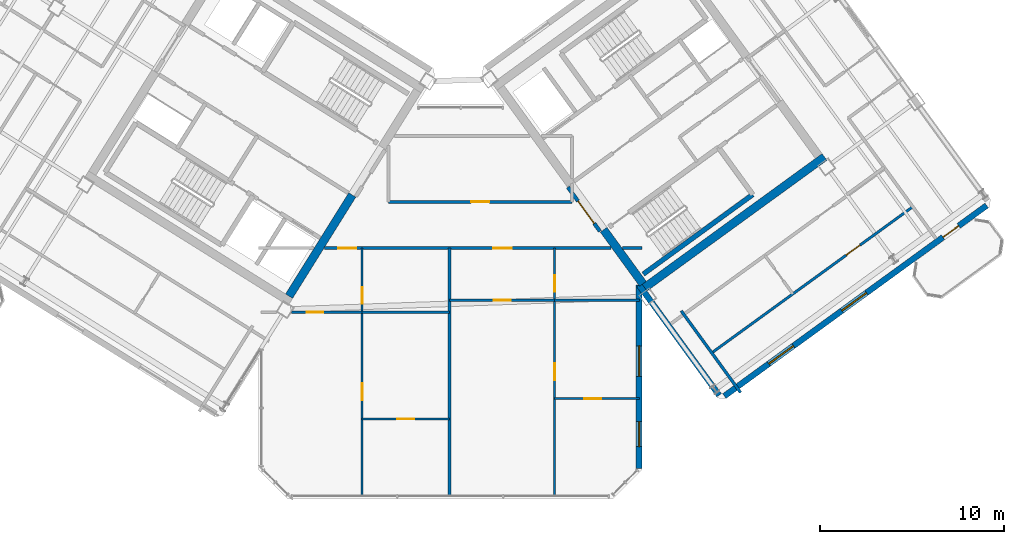
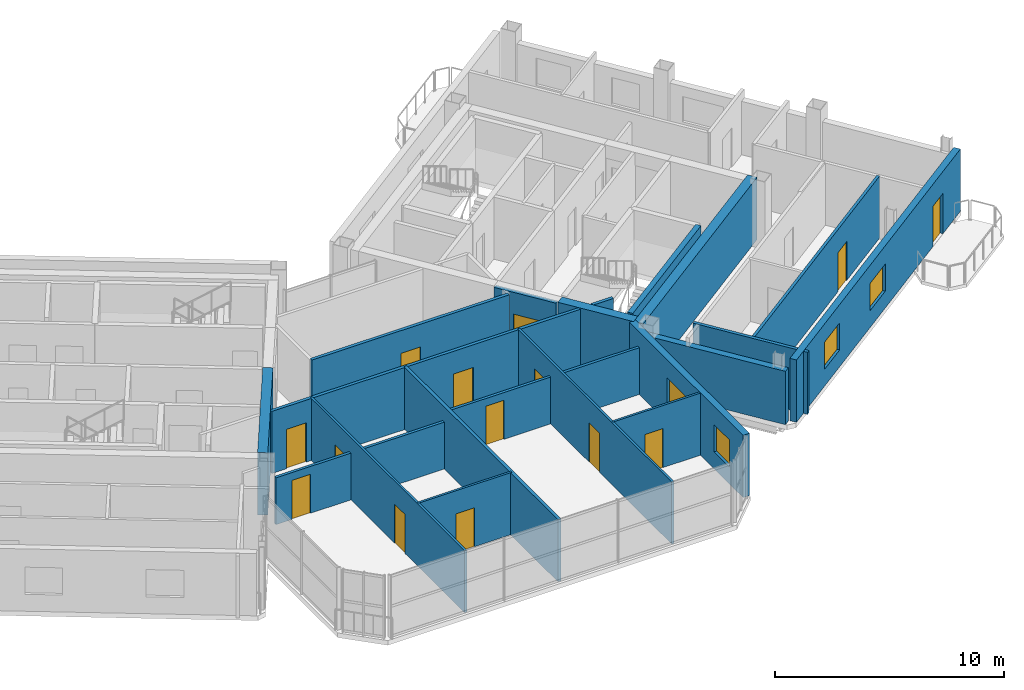
# One storey, part 18 of 25: 22 walls, 14 doors, 4 windows, 18 openings.
"""IFC4 building model written with IfcOpenShell, lengths in metres."""

import ifcopenshell
import ifcopenshell.guid

model = None  # the IFC model being written
_history = None  # IfcOwnerHistory: only IFC2X3 demands one
_inside = {}  # id of a spatial element -> (the spatial element, [elements in it])
_under = {}  # id of a project, library or spatial element -> (it, [spatial elements below it])
_declared = {}  # id of a project -> (the project, [libraries it declares])
_typed = {}  # id of a type object -> (the type object, [elements of that type])
_made_of = {}  # id of a material, layer set ... -> (it, [elements and type objects made of it])


def new_model(schema):
    """Start an empty IFC model of exactly this schema.

    Asked for "IFC4X3", IfcOpenShell would pick the latest addendum, in which some entities
    have other attributes; the version numbers below select the first issue.
    IFC2X3 requires an IfcOwnerHistory on every rooted entity: one is made here for all.
    """
    global model, _history
    if schema == "IFC4X3":
        model = ifcopenshell.file(schema_version=(4, 3, 0, 0))
    else:
        model = ifcopenshell.file(schema=schema)
    _inside.clear()
    _under.clear()
    _declared.clear()
    _typed.clear()
    _made_of.clear()
    _history = None
    if model.schema == "IFC2X3":
        org = make("IfcOrganization", Name="unknown")
        user = make(
            "IfcPersonAndOrganization",
            ThePerson=make("IfcPerson", FamilyName="unknown"),
            TheOrganization=org,
        )
        app = make(
            "IfcApplication",
            ApplicationDeveloper=org,
            Version="unknown",
            ApplicationFullName="unknown",
            ApplicationIdentifier="unknown",
        )
        _history = make(
            "IfcOwnerHistory",
            OwningUser=user,
            OwningApplication=app,
            ChangeAction="ADDED",
            CreationDate=0,
        )
    return model


def make(cls, **values):
    """One entity of the class cls with the attributes given. An attribute that is None is left unset."""
    return model.create_entity(
        cls, **{name: value for name, value in values.items() if value is not None}
    )


def rooted(cls, **values):
    """An entity with a GlobalId (a new one), such as an element, a storey or a relation."""
    return make(cls, GlobalId=ifcopenshell.guid.new(), OwnerHistory=_history, **values)


def si_unit(unit_type, name, prefix=None):
    """IfcSIUnit, for example si_unit("LENGTHUNIT", "METRE", prefix="MILLI")."""
    return make("IfcSIUnit", UnitType=unit_type, Prefix=prefix, Name=name)


def assignment(units):
    """IfcUnitAssignment: the units of a project."""
    return None if units is None else make("IfcUnitAssignment", Units=units)


def point(xyz):
    """IfcCartesianPoint."""
    return None if xyz is None else make("IfcCartesianPoint", Coordinates=xyz)


def direction(xyz):
    """IfcDirection."""
    return None if xyz is None else make("IfcDirection", DirectionRatios=xyz)


def frame(location, z_axis=None, x_axis=None):
    """IfcAxis2Placement3D, a coordinate frame: its origin and axes. An axis left out is left unset."""
    return make(
        "IfcAxis2Placement3D",
        Location=point(location),
        Axis=direction(z_axis),
        RefDirection=direction(x_axis),
    )


def frame_2d(location, x_axis=None):
    """IfcAxis2Placement2D, a coordinate frame in the plane: its origin and x axis."""
    return make(
        "IfcAxis2Placement2D", Location=point(location), RefDirection=direction(x_axis)
    )


def origin():
    """The frame at (0, 0, 0) with its axes left unset."""
    return frame((0.0, 0.0, 0.0))


def place(relative_to, where):
    """IfcLocalPlacement: puts the frame where relative to a parent placement (None: the world)."""
    return make(
        "IfcLocalPlacement", PlacementRelTo=relative_to, RelativePlacement=where
    )


def context(
    kind, dimensions, precision=None, world=None, true_north=None, identifier=None
):
    """IfcGeometricRepresentationContext, for example the 3D "Model" context."""
    return make(
        "IfcGeometricRepresentationContext",
        ContextIdentifier=identifier,
        ContextType=kind,
        CoordinateSpaceDimension=dimensions,
        Precision=precision,
        WorldCoordinateSystem=world,
        TrueNorth=true_north,
    )


def subcontext(parent, identifier, kind, view, scale=None):
    """IfcGeometricRepresentationSubContext, for example "Body" below "Model"."""
    return make(
        "IfcGeometricRepresentationSubContext",
        ContextIdentifier=identifier,
        ContextType=kind,
        ParentContext=parent,
        TargetScale=scale,
        TargetView=view,
    )


def project(units=None, contexts=None):
    """IfcProject with its units and contexts."""
    return rooted(
        "IfcProject",
        Name="project",
        RepresentationContexts=contexts,
        UnitsInContext=assignment(units),
    )


def spatial(cls, under=None, at=None, **own):
    """A site, building, storey or space (cls), placed at a placement, below another one or the project."""
    s = rooted(cls, ObjectPlacement=at, **own)
    if under is not None:
        _under.setdefault(under.id(), (under, []))[1].append(s)
    return s


def profile(cls, at=None, kind="AREA", **sizes):
    """A parametric profile (cls). Its sizes go by their IFC names, for example OverallWidth=200.0."""
    return make(cls, ProfileType=kind, Position=at, **sizes)


def rectangle(**sizes):
    """IfcRectangleProfileDef."""
    return profile("IfcRectangleProfileDef", **sizes)


def extrude(swept, where, along, depth):
    """IfcExtrudedAreaSolid: the profile swept, set in the frame where, extruded along a direction by depth."""
    return make(
        "IfcExtrudedAreaSolid",
        SweptArea=swept,
        Position=where,
        ExtrudedDirection=direction(along),
        Depth=depth,
    )


def shape(context_of_items, identifier, shape_type, items):
    """IfcShapeRepresentation: the items that make up one representation, for example the "Body"."""
    return make(
        "IfcShapeRepresentation",
        ContextOfItems=context_of_items,
        RepresentationIdentifier=identifier,
        RepresentationType=shape_type,
        Items=items,
    )


def source(mapping_origin, context_of_items, identifier, shape_type, items):
    """IfcRepresentationMap: a shape defined once, which mapped items show again and again."""
    return make(
        "IfcRepresentationMap",
        MappingOrigin=mapping_origin,
        MappedRepresentation=shape(context_of_items, identifier, shape_type, items),
    )


def transform(
    local_origin,
    x_axis=None,
    y_axis=None,
    z_axis=None,
    scale=None,
    scale2=None,
    scale3=None,
    uniform=True,
):
    """IfcCartesianTransformationOperator3D, or its non-uniform kind. x_axis, y_axis, z_axis: its Axis1, 2, 3."""
    if uniform:
        return make(
            "IfcCartesianTransformationOperator3D",
            Axis1=direction(x_axis),
            Axis2=direction(y_axis),
            LocalOrigin=point(local_origin),
            Scale=scale,
            Axis3=direction(z_axis),
        )
    return make(
        "IfcCartesianTransformationOperator3DnonUniform",
        Axis1=direction(x_axis),
        Axis2=direction(y_axis),
        LocalOrigin=point(local_origin),
        Scale=scale,
        Axis3=direction(z_axis),
        Scale2=scale2,
        Scale3=scale3,
    )


def mapped(mapping_source, mapping_target):
    """IfcMappedItem: shows the shape of a source again, moved by a transform."""
    return make(
        "IfcMappedItem", MappingSource=mapping_source, MappingTarget=mapping_target
    )


def material(Name=None, Category=None):
    """IfcMaterial."""
    return make("IfcMaterial", Name=Name, Category=Category)


def layer(
    of_material, thickness, ventilated=None, Name=None, Category=None, Priority=None
):
    """IfcMaterialLayer: one layer of a wall or slab, of a material (None: an air gap)."""
    return make(
        "IfcMaterialLayer",
        Material=of_material,
        LayerThickness=thickness,
        IsVentilated=ventilated,
        Name=Name,
        Category=Category,
        Priority=Priority,
    )


def layer_set(layers, Name=None):
    """IfcMaterialLayerSet."""
    return make("IfcMaterialLayerSet", MaterialLayers=layers, LayerSetName=Name)


def made_of(thing, what):
    """Note that an element or type object is made of a material, layer set ...; save() writes the relation."""
    if what is not None:
        _made_of.setdefault(what.id(), (what, []))[1].append(thing)
    return thing


def type_object(cls, material=None, **own):
    """A type object (cls), such as IfcWallType, which elements share."""
    return made_of(rooted(cls, **own), material)


def element(
    cls,
    number,
    at=None,
    inside=None,
    cuts=None,
    type_object=None,
    material=None,
    context=None,
    identifier="Body",
    shape_type=None,
    held_by="IfcProductDefinitionShape",
    body=None,
    shapes=None,
    **own,
):
    """One element of the class cls, such as IfcWall. Its Tag is "e" and its number.

    at: its placement. inside: the storey or other place that contains it. cuts: it is an
    opening in that element (IfcRelVoidsElement). A single representation is given by context,
    identifier, shape_type and body (its items); several are given by shapes. held_by: the class
    of the entity that holds the representations. save() writes the other relations.
    """
    e = rooted(cls, Tag="e%d" % number, ObjectPlacement=at, **own)
    if body is not None:
        shapes = [shape(context, identifier, shape_type, body)]
    if shapes is not None:
        e.Representation = make(held_by, Representations=shapes)
    if inside is not None:
        _inside.setdefault(inside.id(), (inside, []))[1].append(e)
    if cuts is not None:
        rooted(
            "IfcRelVoidsElement", RelatingBuildingElement=cuts, RelatedOpeningElement=e
        )
    if type_object is not None:
        _typed.setdefault(type_object.id(), (type_object, []))[1].append(e)
    return made_of(e, material)


def fill(opening, filler):
    """IfcRelFillsElement: the door or window that sits in an opening."""
    return rooted(
        "IfcRelFillsElement",
        RelatingOpeningElement=opening,
        RelatedBuildingElement=filler,
    )


def aggregate(whole, parts):
    """IfcRelAggregates: a whole, such as a stair, and the parts it consists of."""
    return rooted("IfcRelAggregates", RelatingObject=whole, RelatedObjects=parts)


def save(model, path):
    """Write the relations noted so far, then the file.

    IfcRelAggregates (storeys below a building ...), IfcRelContainedInSpatialStructure (elements
    in a storey), IfcRelDefinesByType, IfcRelAssociatesMaterial and IfcRelDeclares: one each for
    every whole, place, type object, material and project.
    """
    for whole, parts in _under.values():
        aggregate(whole, parts)
    for where, things in _inside.values():
        rooted(
            "IfcRelContainedInSpatialStructure",
            RelatedElements=things,
            RelatingStructure=where,
        )
    for kind, things in _typed.values():
        rooted("IfcRelDefinesByType", RelatedObjects=things, RelatingType=kind)
    for what, things in _made_of.values():
        rooted("IfcRelAssociatesMaterial", RelatedObjects=things, RelatingMaterial=what)
    for by, libraries in _declared.values():
        rooted("IfcRelDeclares", RelatingContext=by, RelatedDefinitions=libraries)
    model.write(path)


model = new_model("IFC4")

# Units and contexts
model_context = context("Model", 3, precision=1e-05, world=origin(), true_north=direction((0.0, 1.0)))
body_context = subcontext(model_context, "Body", "Model", "MODEL_VIEW")
ifc_project = project(units=[si_unit("LENGTHUNIT", "METRE"), si_unit("AREAUNIT", "SQUARE_METRE"), si_unit("VOLUMEUNIT", "CUBIC_METRE"), si_unit("PLANEANGLEUNIT", "RADIAN"), si_unit("MASSUNIT", "GRAM", prefix="KILO")], contexts=[model_context])

# Site, building, storey
site_placement = place(None, origin())
site = spatial("IfcSite", under=ifc_project, at=site_placement, CompositionType="ELEMENT")
building_placement = place(site_placement, origin())
building = spatial("IfcBuilding", under=site, at=building_placement, Name="Tlacorven Tower", CompositionType="ELEMENT")
storey_placement = place(building_placement, frame((0.0, 0.0, 251.10009765625)))
storey = spatial("IfcBuildingStorey", under=building, at=storey_placement, Name="L63", CompositionType="ELEMENT", Elevation=251.10009765625)

# Walls
ifc_material_1 = material(Name="Concrete C50/60", Category="concrete")
ifc_layer_1 = layer(ifc_material_1, 0.449951171875)
ifc_layer_set_1 = layer_set([ifc_layer_1], Name="Concrete C50/60")
wall_type_1 = type_object("IfcWallType", Name="WL-COR-450", PredefinedType="SHEAR", material=ifc_layer_set_1)
wall_1_placement = place(storey_placement, frame((36.683349609375, 18.30419921875, 0.0), z_axis=(0.0, 0.0, 1.0), x_axis=(-0.529904039071, -0.848057609704, 0.0)))
element("IfcWall", 1, at=wall_1_placement, inside=storey, type_object=wall_type_1, Name="L63 W core end wall E1.2", PredefinedType="SHEAR", context=body_context, shape_type="SweptSolid", body=[
    extrude(rectangle(XDim=6.47509765625, YDim=0.449951171875, at=frame_2d((3.237548828125, 0.0))), origin(), (0.0, 0.0, 1.0), 3.31982421875),
])
wall_2_placement = place(storey_placement, frame((52.3994140625, 13.169189453125, 0.0), z_axis=(0.0, 0.0, 1.0), x_axis=(0.809022352778, 0.587777877013, 0.0)))
element("IfcWall", 2, at=wall_2_placement, inside=storey, type_object=wall_type_1, Name="L63 E core shear wall S1", PredefinedType="SHEAR", context=body_context, shape_type="SweptSolid", body=[
    extrude(rectangle(XDim=12.239990234375, YDim=0.449951171875, at=frame_2d((6.1201171875, 0.0))), origin(), (0.0, 0.0, 1.0), 3.31982421875),
])
wall_3_placement = place(storey_placement, frame((52.44921875, 13.4833984375, 0.0), z_axis=(0.0, 0.0, 1.0), x_axis=(-0.587819244441, 0.808992296542, 0.0)))
element("IfcWall", 3, at=wall_3_placement, inside=storey, type_object=wall_type_1, Name="L63 E core end wall E1.1", PredefinedType="SHEAR", context=body_context, shape_type="SweptSolid", body=[
    extrude(rectangle(XDim=3.625, YDim=0.449951171875, at=frame_2d((1.8125, 0.0))), origin(), (0.0, 0.0, 1.0), 3.31982421875),
])

# Wall, openings, doors
ifc_material_2 = material(Name="Gypsum plasterboard acoustic partition", Category="gypsum")
ifc_layer_2 = layer(ifc_material_2, 0.159912109375)
ifc_layer_set_2 = layer_set([ifc_layer_2], Name="Gypsum plasterboard acoustic partition")
wall_type_2 = type_object("IfcWallType", Name="WL-DEM-160", PredefinedType="PARTITIONING", material=ifc_layer_set_2)
wall_4_placement = place(storey_placement, frame((35.178466796875, 15.419921875, 0.0), z_axis=(0.0, 0.0, 1.0), x_axis=(1.0, 0.0, 0.0)))
wall_4 = element("IfcWall", 4, at=wall_4_placement, inside=storey, type_object=wall_type_2, Name="L63 Knuckle Corridor South Wall", PredefinedType="PARTITIONING", context=body_context, shape_type="SweptSolid", body=[
    extrude(rectangle(XDim=15.55224609375, YDim=0.159912109375, at=frame_2d((7.776123046875, 0.0))), origin(), (0.0, 0.0, 1.0), 3.309814453125),
])
opening_1_placement = place(wall_4_placement, frame((0.732666015625, 0.0, 0.0)))
opening_1 = element("IfcOpeningElement", 5, at=opening_1_placement, cuts=wall_4, Name="Opening D11", PredefinedType="OPENING", context=body_context, shape_type="SweptSolid", body=[
    extrude(rectangle(XDim=1.0, YDim=2.10009765625, at=frame_2d((0.5, 1.050048828125))), frame((0.0, 0.08984375, 0.0), z_axis=(0.0, -1.0, 0.0), x_axis=(1.0, 0.0, 0.0)), (0.0, 0.0, 1.0), 0.179931640625),
])
opening_2_placement = place(wall_4_placement, frame((9.153076171875, 0.0, 0.0)))
opening_2 = element("IfcOpeningElement", 6, at=opening_2_placement, cuts=wall_4, Name="Opening D11", PredefinedType="OPENING", context=body_context, shape_type="SweptSolid", body=[
    extrude(rectangle(XDim=1.0, YDim=2.10009765625, at=frame_2d((0.5, 1.050048828125))), frame((0.0, 0.08984375, 0.0), z_axis=(0.0, -1.0, 0.0), x_axis=(1.0, 0.0, 0.0)), (0.0, 0.0, 1.0), 0.179931640625),
])
ifc_material_3 = material(Name="Fire-rated steel door assembly", Category="steel")
door_type_1 = type_object("IfcDoorType", Name="DR-FLT-FD60-1000", OperationType="NOTDEFINED", PredefinedType="DOOR", material=ifc_material_3)
shared_shape_1 = source(origin(), body_context, "Body", "SweptSolid", [
    extrude(rectangle(XDim=1.0, YDim=2.10009765625, at=frame_2d((0.5, 1.050048828125))), frame((0.0, 0.02490234375, 0.0), z_axis=(0.0, -1.0, 0.0), x_axis=(1.0, 0.0, 0.0)), (0.0, 0.0, 1.0), 0.050048828125),
])
door_1_placement = place(opening_1_placement, frame((1.0, 0.0, 0.0), z_axis=(0.0, 0.0, 1.0), x_axis=(-1.0, 0.0, 0.0)))
door_1 = element("IfcDoor", 7, at=door_1_placement, inside=storey, type_object=door_type_1, Name="L63 door 045", OperationType="SINGLE_SWING_LEFT", OverallHeight=2.10009765625, OverallWidth=1.0, PredefinedType="DOOR", context=body_context, shape_type="MappedRepresentation", body=[
    mapped(shared_shape_1, transform((0.0, 0.0, 0.0), scale=1.0)),
])
fill(opening_1, door_1)
door_2_placement = place(opening_2_placement, frame((1.0, 0.0, 0.0), z_axis=(0.0, 0.0, 1.0), x_axis=(-1.0, 0.0, 0.0)))
door_2 = element("IfcDoor", 8, at=door_2_placement, inside=storey, type_object=door_type_1, Name="L63 door 050", OperationType="SINGLE_SWING_RIGHT", OverallHeight=2.10009765625, OverallWidth=1.0, PredefinedType="DOOR", context=body_context, shape_type="MappedRepresentation", body=[
    mapped(shared_shape_1, transform((0.0, 0.0, 0.0), scale=1.0)),
])
fill(opening_2, door_2)

# Wall
wall_5_placement = place(storey_placement, frame((51.353515625, 15.419921875, 0.0), z_axis=(0.0, 0.0, 1.0), x_axis=(1.0, 0.0, 0.0)))
element("IfcWall", 9, at=wall_5_placement, inside=storey, type_object=wall_type_2, Name="L63 Knuckle Corridor South Wall", PredefinedType="PARTITIONING", context=body_context, shape_type="SweptSolid", body=[
    extrude(rectangle(XDim=1.04638671875, YDim=0.159912109375, at=frame_2d((0.523193359375, 0.0))), origin(), (0.0, 0.0, 1.0), 3.309814453125),
])

# Wall, opening, door
wall_6_placement = place(storey_placement, frame((38.64990234375, 17.929931640625, 0.0), z_axis=(0.0, 0.0, 1.0), x_axis=(1.0, 0.0, 0.0)))
wall_6 = element("IfcWall", 10, at=wall_6_placement, inside=storey, type_object=wall_type_2, Name="L63 partition 63", PredefinedType="PARTITIONING", context=body_context, shape_type="SweptSolid", body=[
    extrude(rectangle(XDim=9.9501953125, YDim=0.159912109375, at=frame_2d((4.97509765625, 0.0))), origin(), (0.0, 0.0, 1.0), 3.309814453125),
])
opening_3_placement = place(wall_6_placement, frame((4.47509765625, 0.0, 0.0)))
opening_3 = element("IfcOpeningElement", 11, at=opening_3_placement, cuts=wall_6, Name="Opening D11", PredefinedType="OPENING", context=body_context, shape_type="SweptSolid", body=[
    extrude(rectangle(XDim=1.0, YDim=2.10009765625, at=frame_2d((0.5, 1.050048828125))), frame((0.0, 0.08984375, 0.0), z_axis=(0.0, -1.0, 0.0), x_axis=(1.0, 0.0, 0.0)), (0.0, 0.0, 1.0), 0.179931640625),
])
door_3_placement = place(opening_3_placement, origin())
door_3 = element("IfcDoor", 12, at=door_3_placement, inside=storey, type_object=door_type_1, Name="L63 door 040", OperationType="SINGLE_SWING_RIGHT", OverallHeight=2.10009765625, OverallWidth=1.0, PredefinedType="DOOR", context=body_context, shape_type="MappedRepresentation", body=[
    mapped(shared_shape_1, transform((0.0, 0.0, 0.0), scale=1.0)),
])
fill(opening_3, door_3)

# Walls
wall_7_placement = place(storey_placement, frame((41.949951171875, 1.9599609375, 0.0), z_axis=(0.0, 0.0, 1.0), x_axis=(0.0, 1.0, 0.0)))
element("IfcWall", 13, at=wall_7_placement, inside=storey, type_object=wall_type_2, Name="L63 Knuckle Demising Wall 1", PredefinedType="PARTITIONING", context=body_context, shape_type="SweptSolid", body=[
    extrude(rectangle(XDim=13.4599609375, YDim=0.159912109375, at=frame_2d((6.72998046875, 0.0))), origin(), (0.0, 0.0, 1.0), 3.309814453125),
])
wall_8_placement = place(storey_placement, frame((57.747314453125, 7.586181640625, 0.0), z_axis=(0.0, 0.0, 1.0), x_axis=(-0.587784893399, 0.809017255126, 0.0)))
element("IfcWall", 14, at=wall_8_placement, inside=storey, type_object=wall_type_2, Name="L63 EC West Throat Wall", PredefinedType="PARTITIONING", context=body_context, shape_type="SweptSolid", body=[
    extrude(rectangle(XDim=5.480224609375, YDim=0.159912109375, at=frame_2d((2.740234375, 0.0))), origin(), (0.0, 0.0, 1.0), 3.309814453125),
])

# Wall, openings, door, windows
ifc_material_4 = material(Name="Precast concrete C45/55", Category="concrete")
ifc_layer_3 = layer(ifc_material_4, 0.320068359375)
ifc_layer_set_3 = layer_set([ifc_layer_3], Name="Precast concrete C45/55")
wall_type_3 = type_object("IfcWallType", Name="WL-EXT-320", PredefinedType="STANDARD", material=ifc_layer_set_3)
wall_9_placement = place(storey_placement, frame((71.097900390625, 17.73095703125, 0.0), z_axis=(0.0, 0.0, 1.0), x_axis=(-0.809021120468, -0.587779573171, 0.0)))
wall_9 = element("IfcWall", 15, at=wall_9_placement, inside=storey, type_object=wall_type_3, Name="L63 Masonry-Frame Recessed Facade Wall 6", PredefinedType="STANDARD", context=body_context, shape_type="SweptSolid", body=[
    extrude(rectangle(XDim=17.587646484375, YDim=0.320068359375, at=frame_2d((8.7939453125, 0.0))), origin(), (0.0, 0.0, 1.0), 3.31982421875),
])
opening_4_placement = place(wall_9_placement, frame((1.87548828125, 0.0, 0.0)))
opening_4 = element("IfcOpeningElement", 16, at=opening_4_placement, cuts=wall_9, Name="Opening D06", PredefinedType="OPENING", context=body_context, shape_type="SweptSolid", body=[
    extrude(rectangle(XDim=1.050048828125, YDim=2.14990234375, at=frame_2d((0.52490234375, 1.074951171875))), frame((0.0, 0.169921875, 0.0), z_axis=(0.0, -1.0, 0.0), x_axis=(1.0, 0.0, 0.0)), (0.0, 0.0, 1.0), 0.340087890625),
])
opening_5_placement = place(wall_9_placement, frame((8.061279296875, 0.0, 0.89990234375)))
opening_5 = element("IfcOpeningElement", 17, at=opening_5_placement, cuts=wall_9, Name="Opening WN07", PredefinedType="OPENING", context=body_context, shape_type="SweptSolid", body=[
    extrude(rectangle(XDim=1.64990234375, YDim=1.449951171875, at=frame_2d((0.824951171875, 0.72509765625))), frame((0.0, 0.169921875, 0.0), z_axis=(0.0, -1.0, 0.0), x_axis=(1.0, 0.0, 0.0)), (0.0, 0.0, 1.0), 0.340087890625),
])
opening_6_placement = place(wall_9_placement, frame((12.959716796875, 0.0, 0.89990234375)))
opening_6 = element("IfcOpeningElement", 18, at=opening_6_placement, cuts=wall_9, Name="Opening WN07", PredefinedType="OPENING", context=body_context, shape_type="SweptSolid", body=[
    extrude(rectangle(XDim=1.64990234375, YDim=1.449951171875, at=frame_2d((0.824951171875, 0.72509765625))), frame((0.0, 0.169921875, 0.0), z_axis=(0.0, -1.0, 0.0), x_axis=(1.0, 0.0, 0.0)), (0.0, 0.0, 1.0), 0.340087890625),
])
ifc_material_5 = material(Name="Powder-coated aluminium and timber door", Category="wood")
door_type_2 = type_object("IfcDoorType", Name="DR-EXT-BALC-1050", OperationType="NOTDEFINED", PredefinedType="DOOR", material=ifc_material_5)
shared_shape_2 = source(origin(), body_context, "Body", "SweptSolid", [
    extrude(rectangle(XDim=1.050048828125, YDim=2.14990234375, at=frame_2d((0.52490234375, 1.074951171875))), frame((0.0, 0.02490234375, 0.0), z_axis=(0.0, -1.0, 0.0), x_axis=(1.0, 0.0, 0.0)), (0.0, 0.0, 1.0), 0.050048828125),
])
door_4_placement = place(opening_4_placement, origin())
door_4 = element("IfcDoor", 19, at=door_4_placement, inside=storey, type_object=door_type_2, Name="L63 Outdoor Access Door BAL-L63-E-OUT", OperationType="SINGLE_SWING_LEFT", OverallHeight=2.14990234375, OverallWidth=1.050048828125, PredefinedType="DOOR", context=body_context, shape_type="MappedRepresentation", body=[
    mapped(shared_shape_2, transform((0.0, 0.0, 0.0), scale=1.0)),
])
fill(opening_4, door_4)
ifc_material_6 = material(Name="Dark solar low-E double glazing in anodised aluminium frame", Category="aluminium")
window_type_1 = type_object("IfcWindowType", Name="WN-APT-1650X1600", PartitioningType="SINGLE_PANEL", PredefinedType="WINDOW", material=ifc_material_6)
shared_shape_3 = source(origin(), body_context, "Body", "SweptSolid", [
    extrude(rectangle(XDim=1.64990234375, YDim=1.449951171875, at=frame_2d((0.824951171875, 0.72509765625))), frame((0.0, 0.030029296875, 0.0), z_axis=(0.0, -1.0, 0.0), x_axis=(1.0, 0.0, 0.0)), (0.0, 0.0, 1.0), 0.06005859375),
])
window_1_placement = place(opening_5_placement, origin())
window_1 = element("IfcWindow", 20, at=window_1_placement, inside=storey, type_object=window_type_1, Name="L63 Recessed Masonry-Frame Window L63-06.1", OverallHeight=1.449951171875, OverallWidth=1.64990234375, PartitioningType="SINGLE_PANEL", PredefinedType="WINDOW", context=body_context, shape_type="MappedRepresentation", body=[
    mapped(shared_shape_3, transform((0.0, 0.0, 0.0), scale=1.0)),
])
fill(opening_5, window_1)
window_2_placement = place(opening_6_placement, origin())
window_2 = element("IfcWindow", 21, at=window_2_placement, inside=storey, type_object=window_type_1, Name="L63 Recessed Masonry-Frame Window L63-06.2", OverallHeight=1.449951171875, OverallWidth=1.64990234375, PartitioningType="SINGLE_PANEL", PredefinedType="WINDOW", context=body_context, shape_type="MappedRepresentation", body=[
    mapped(shared_shape_3, transform((0.0, 0.0, 0.0), scale=1.0)),
])
fill(opening_6, window_2)

# Wall
wall_10_placement = place(storey_placement, frame((56.5810546875, 7.43896484375, 0.0), z_axis=(0.0, 0.0, 1.0), x_axis=(-0.587776558368, 0.809023310809, 0.0)))
element("IfcWall", 22, at=wall_10_placement, inside=storey, type_object=wall_type_3, Name="L63 Masonry-Frame Recessed Facade Wall 7", PredefinedType="STANDARD", context=body_context, shape_type="SweptSolid", body=[
    extrude(rectangle(XDim=7.385498046875, YDim=0.320068359375, at=frame_2d((3.69287109375, 0.0))), origin(), (0.0, 0.0, 1.0), 2.844970703125),
])

# Wall, openings, windows
wall_11_placement = place(storey_placement, frame((52.239990234375, 13.4140625, 0.0), z_axis=(0.0, 0.0, 1.0), x_axis=(0.0, -1.0, 0.0)))
wall_11 = element("IfcWall", 23, at=wall_11_placement, inside=storey, type_object=wall_type_3, Name="L63 Masonry-Frame Recessed Facade Wall 8", PredefinedType="STANDARD", context=body_context, shape_type="SweptSolid", body=[
    extrude(rectangle(XDim=9.94775390625, YDim=0.320068359375, at=frame_2d((4.973876953125, 0.0))), origin(), (0.0, 0.0, 1.0), 3.31982421875),
])
opening_7_placement = place(wall_11_placement, frame((3.29541015625, 0.0, 0.89990234375)))
opening_7 = element("IfcOpeningElement", 24, at=opening_7_placement, cuts=wall_11, Name="Opening WN07", PredefinedType="OPENING", context=body_context, shape_type="SweptSolid", body=[
    extrude(rectangle(XDim=1.64990234375, YDim=1.449951171875, at=frame_2d((0.824951171875, 0.72509765625))), frame((0.0, 0.169921875, 0.0), z_axis=(0.0, -1.0, 0.0), x_axis=(1.0, 0.0, 0.0)), (0.0, 0.0, 1.0), 0.340087890625),
])
opening_8_placement = place(wall_11_placement, frame((7.408447265625, 0.0, 0.89990234375)))
opening_8 = element("IfcOpeningElement", 25, at=opening_8_placement, cuts=wall_11, Name="Opening WN08", PredefinedType="OPENING", context=body_context, shape_type="SweptSolid", body=[
    extrude(rectangle(XDim=1.35009765625, YDim=1.449951171875, at=frame_2d((0.675048828125, 0.72509765625))), frame((0.0, 0.169921875, 0.0), z_axis=(0.0, -1.0, 0.0), x_axis=(1.0, 0.0, 0.0)), (0.0, 0.0, 1.0), 0.340087890625),
])
window_3_placement = place(opening_7_placement, origin())
window_3 = element("IfcWindow", 26, at=window_3_placement, inside=storey, type_object=window_type_1, Name="L63 Recessed Masonry-Frame Window L63-08.1", OverallHeight=1.449951171875, OverallWidth=1.64990234375, PartitioningType="SINGLE_PANEL", PredefinedType="WINDOW", context=body_context, shape_type="MappedRepresentation", body=[
    mapped(shared_shape_3, transform((0.0, 0.0, 0.0), scale=1.0)),
])
fill(opening_7, window_3)
window_type_2 = type_object("IfcWindowType", Name="WN-APT-1350X1550", PartitioningType="SINGLE_PANEL", PredefinedType="WINDOW", material=ifc_material_6)
shared_shape_4 = source(origin(), body_context, "Body", "SweptSolid", [
    extrude(rectangle(XDim=1.35009765625, YDim=1.449951171875, at=frame_2d((0.675048828125, 0.72509765625))), frame((0.0, 0.030029296875, 0.0), z_axis=(0.0, -1.0, 0.0), x_axis=(1.0, 0.0, 0.0)), (0.0, 0.0, 1.0), 0.06005859375),
])
window_4_placement = place(opening_8_placement, origin())
window_4 = element("IfcWindow", 27, at=window_4_placement, inside=storey, type_object=window_type_2, Name="L63 Recessed Masonry-Frame Window L63-08.2", OverallHeight=1.449951171875, OverallWidth=1.35009765625, PartitioningType="SINGLE_PANEL", PredefinedType="WINDOW", context=body_context, shape_type="MappedRepresentation", body=[
    mapped(shared_shape_4, transform((0.0, 0.0, 0.0), scale=1.0)),
])
fill(opening_8, window_4)

# Wall, openings, doors
ifc_material_7 = material(Name="Gypsum plasterboard partition", Category="gypsum")
ifc_layer_4 = layer(ifc_material_7, 0.110107421875)
ifc_layer_set_4 = layer_set([ifc_layer_4], Name="Gypsum plasterboard partition")
wall_type_4 = type_object("IfcWallType", Name="WL-INT-110", PredefinedType="PARTITIONING", material=ifc_layer_set_4)
wall_12_placement = place(storey_placement, frame((37.221923828125, 1.9599609375, 0.0), z_axis=(0.0, 0.0, 1.0), x_axis=(0.0, 1.0, 0.0)))
wall_12 = element("IfcWall", 28, at=wall_12_placement, inside=storey, type_object=wall_type_4, Name="L63 partition 69", PredefinedType="PARTITIONING", context=body_context, shape_type="SweptSolid", body=[
    extrude(rectangle(XDim=13.4599609375, YDim=0.110107421875, at=frame_2d((6.72998046875, 0.0))), origin(), (0.0, 0.0, 1.0), 3.309814453125),
])
opening_9_placement = place(wall_12_placement, frame((5.199951171875, 0.0, 0.0)))
opening_9 = element("IfcOpeningElement", 29, at=opening_9_placement, cuts=wall_12, Name="Opening D12", PredefinedType="OPENING", context=body_context, shape_type="SweptSolid", body=[
    extrude(rectangle(XDim=0.919921875, YDim=2.080078125, at=frame_2d((0.4599609375, 1.0400390625))), frame((0.0, 0.06494140625, 0.0), z_axis=(0.0, -1.0, 0.0), x_axis=(1.0, 0.0, 0.0)), (0.0, 0.0, 1.0), 0.130126953125),
])
opening_10_placement = place(wall_12_placement, frame((10.449951171875, 0.0, 0.0)))
opening_10 = element("IfcOpeningElement", 30, at=opening_10_placement, cuts=wall_12, Name="Opening D13", PredefinedType="OPENING", context=body_context, shape_type="SweptSolid", body=[
    extrude(rectangle(XDim=0.8798828125, YDim=2.080078125, at=frame_2d((0.43994140625, 1.0400390625))), frame((0.0, 0.06494140625, 0.0), z_axis=(0.0, -1.0, 0.0), x_axis=(1.0, 0.0, 0.0)), (0.0, 0.0, 1.0), 0.130126953125),
])
door_type_3 = type_object("IfcDoorType", Name="DR-INT-WET-0880", OperationType="NOTDEFINED", PredefinedType="DOOR", material=ifc_material_5)
shared_shape_5 = source(origin(), body_context, "Body", "SweptSolid", [
    extrude(rectangle(XDim=0.8798828125, YDim=2.080078125, at=frame_2d((0.43994140625, 1.0400390625))), frame((0.0, 0.02490234375, 0.0), z_axis=(0.0, -1.0, 0.0), x_axis=(1.0, 0.0, 0.0)), (0.0, 0.0, 1.0), 0.050048828125),
])
door_5_placement = place(opening_10_placement, origin())
door_5 = element("IfcDoor", 31, at=door_5_placement, inside=storey, type_object=door_type_3, Name="L63 door 047", OperationType="SINGLE_SWING_LEFT", OverallHeight=2.080078125, OverallWidth=0.8798828125, PredefinedType="DOOR", context=body_context, shape_type="MappedRepresentation", body=[
    mapped(shared_shape_5, transform((0.0, 0.0, 0.0), scale=1.0)),
])
fill(opening_10, door_5)
door_type_4 = type_object("IfcDoorType", Name="DR-INT-ROOM-0920", OperationType="NOTDEFINED", PredefinedType="DOOR", material=ifc_material_5)
shared_shape_6 = source(origin(), body_context, "Body", "SweptSolid", [
    extrude(rectangle(XDim=0.919921875, YDim=2.080078125, at=frame_2d((0.4599609375, 1.0400390625))), frame((0.0, 0.02490234375, 0.0), z_axis=(0.0, -1.0, 0.0), x_axis=(1.0, 0.0, 0.0)), (0.0, 0.0, 1.0), 0.050048828125),
])
door_6_placement = place(opening_9_placement, origin())
door_6 = element("IfcDoor", 32, at=door_6_placement, inside=storey, type_object=door_type_4, Name="L63 door 043", OperationType="SINGLE_SWING_LEFT", OverallHeight=2.080078125, OverallWidth=0.919921875, PredefinedType="DOOR", context=body_context, shape_type="MappedRepresentation", body=[
    mapped(shared_shape_6, transform((0.0, 0.0, 0.0), scale=1.0)),
])
fill(opening_9, door_6)

# Wall, opening, door
wall_13_placement = place(storey_placement, frame((37.221923828125, 6.14990234375, 0.0), z_axis=(0.0, 0.0, 1.0), x_axis=(1.0, 0.0, 0.0)))
wall_13 = element("IfcWall", 33, at=wall_13_placement, inside=storey, type_object=wall_type_4, Name="L63 partition 72", PredefinedType="PARTITIONING", context=body_context, shape_type="SweptSolid", body=[
    extrude(rectangle(XDim=4.72802734375, YDim=0.110107421875, at=frame_2d((2.364013671875, 0.0))), origin(), (0.0, 0.0, 1.0), 3.309814453125),
])
opening_11_placement = place(wall_13_placement, frame((1.904052734375, 0.0, 0.0)))
opening_11 = element("IfcOpeningElement", 34, at=opening_11_placement, cuts=wall_13, Name="Opening D12", PredefinedType="OPENING", context=body_context, shape_type="SweptSolid", body=[
    extrude(rectangle(XDim=0.919921875, YDim=2.080078125, at=frame_2d((0.4599609375, 1.0400390625))), frame((0.0, 0.06494140625, 0.0), z_axis=(0.0, -1.0, 0.0), x_axis=(1.0, 0.0, 0.0)), (0.0, 0.0, 1.0), 0.130126953125),
])
door_7_placement = place(opening_11_placement, origin())
door_7 = element("IfcDoor", 35, at=door_7_placement, inside=storey, type_object=door_type_4, Name="L63 door 044", OperationType="SINGLE_SWING_RIGHT", OverallHeight=2.080078125, OverallWidth=0.919921875, PredefinedType="DOOR", context=body_context, shape_type="MappedRepresentation", body=[
    mapped(shared_shape_6, transform((0.0, 0.0, 0.0), scale=1.0)),
])
fill(opening_11, door_7)

# Wall, openings, doors
wall_14_placement = place(storey_placement, frame((47.6630859375, 1.9599609375, 0.0), z_axis=(0.0, 0.0, 1.0), x_axis=(0.0, 1.0, 0.0)))
wall_14 = element("IfcWall", 36, at=wall_14_placement, inside=storey, type_object=wall_type_4, Name="L63 partition 73", PredefinedType="PARTITIONING", context=body_context, shape_type="SweptSolid", body=[
    extrude(rectangle(XDim=13.4599609375, YDim=0.110107421875, at=frame_2d((6.72998046875, 0.0))), origin(), (0.0, 0.0, 1.0), 3.309814453125),
])
opening_12_placement = place(wall_14_placement, frame((6.300048828125, 0.0, 0.0)))
opening_12 = element("IfcOpeningElement", 37, at=opening_12_placement, cuts=wall_14, Name="Opening D12", PredefinedType="OPENING", context=body_context, shape_type="SweptSolid", body=[
    extrude(rectangle(XDim=0.919921875, YDim=2.080078125, at=frame_2d((0.4599609375, 1.0400390625))), frame((0.0, 0.06494140625, 0.0), z_axis=(0.0, -1.0, 0.0), x_axis=(1.0, 0.0, 0.0)), (0.0, 0.0, 1.0), 0.130126953125),
])
opening_13_placement = place(wall_14_placement, frame((11.10009765625, 0.0, 0.0)))
opening_13 = element("IfcOpeningElement", 38, at=opening_13_placement, cuts=wall_14, Name="Opening D13", PredefinedType="OPENING", context=body_context, shape_type="SweptSolid", body=[
    extrude(rectangle(XDim=0.8798828125, YDim=2.080078125, at=frame_2d((0.43994140625, 1.0400390625))), frame((0.0, 0.06494140625, 0.0), z_axis=(0.0, -1.0, 0.0), x_axis=(1.0, 0.0, 0.0)), (0.0, 0.0, 1.0), 0.130126953125),
])
door_8_placement = place(opening_13_placement, origin())
door_8 = element("IfcDoor", 39, at=door_8_placement, inside=storey, type_object=door_type_3, Name="L63 door 052", OperationType="SINGLE_SWING_RIGHT", OverallHeight=2.080078125, OverallWidth=0.8798828125, PredefinedType="DOOR", context=body_context, shape_type="MappedRepresentation", body=[
    mapped(shared_shape_5, transform((0.0, 0.0, 0.0), scale=1.0)),
])
fill(opening_13, door_8)
door_9_placement = place(opening_12_placement, origin())
door_9 = element("IfcDoor", 40, at=door_9_placement, inside=storey, type_object=door_type_4, Name="L63 door 048", OperationType="SINGLE_SWING_RIGHT", OverallHeight=2.080078125, OverallWidth=0.919921875, PredefinedType="DOOR", context=body_context, shape_type="MappedRepresentation", body=[
    mapped(shared_shape_6, transform((0.0, 0.0, 0.0), scale=1.0)),
])
fill(opening_12, door_9)

# Wall, opening, door
wall_15_placement = place(storey_placement, frame((47.6630859375, 7.25, 0.0), z_axis=(0.0, 0.0, 1.0), x_axis=(1.0, 0.0, 0.0)))
wall_15 = element("IfcWall", 41, at=wall_15_placement, inside=storey, type_object=wall_type_4, Name="L63 partition 76", PredefinedType="PARTITIONING", context=body_context, shape_type="SweptSolid", body=[
    extrude(rectangle(XDim=4.596923828125, YDim=0.110107421875, at=frame_2d((2.29833984375, 0.0))), origin(), (0.0, 0.0, 1.0), 3.309814453125),
])
opening_14_placement = place(wall_15_placement, frame((1.6083984375, 0.0, 0.0)))
opening_14 = element("IfcOpeningElement", 42, at=opening_14_placement, cuts=wall_15, Name="Opening D12", PredefinedType="OPENING", context=body_context, shape_type="SweptSolid", body=[
    extrude(rectangle(XDim=0.919921875, YDim=2.080078125, at=frame_2d((0.4599609375, 1.0400390625))), frame((0.0, 0.06494140625, 0.0), z_axis=(0.0, -1.0, 0.0), x_axis=(1.0, 0.0, 0.0)), (0.0, 0.0, 1.0), 0.130126953125),
])
door_10_placement = place(opening_14_placement, origin())
door_10 = element("IfcDoor", 43, at=door_10_placement, inside=storey, type_object=door_type_4, Name="L63 door 049", OperationType="SINGLE_SWING_LEFT", OverallHeight=2.080078125, OverallWidth=0.919921875, PredefinedType="DOOR", context=body_context, shape_type="MappedRepresentation", body=[
    mapped(shared_shape_6, transform((0.0, 0.0, 0.0), scale=1.0)),
])
fill(opening_14, door_10)

ifc_material_8 = material(Name="Moisture-resistant gypsum plumbing wall", Category="gypsum")
ifc_layer_5 = layer(ifc_material_8, 0.139892578125)
ifc_layer_set_5 = layer_set([ifc_layer_5], Name="Moisture-resistant gypsum plumbing wall")
wall_type_5 = type_object("IfcWallType", Name="WL-PLM-140", PredefinedType="PLUMBINGWALL", material=ifc_layer_set_5)
wall_16_placement = place(storey_placement, frame((33.387451171875, 11.949951171875, 0.0), z_axis=(0.0, 0.0, 1.0), x_axis=(1.0, 0.0, 0.0)))
wall_16 = element("IfcWall", 44, at=wall_16_placement, inside=storey, type_object=wall_type_5, Name="L63 partition 70", PredefinedType="PLUMBINGWALL", context=body_context, shape_type="SweptSolid", body=[
    extrude(rectangle(XDim=3.83447265625, YDim=0.139892578125, at=frame_2d((1.917236328125, 0.0))), origin(), (0.0, 0.0, 1.0), 2.494873046875),
])
opening_15_placement = place(wall_16_placement, frame((0.8134765625, 0.0, 0.0)))
opening_15 = element("IfcOpeningElement", 45, at=opening_15_placement, cuts=wall_16, Name="Opening D12", PredefinedType="OPENING", context=body_context, shape_type="SweptSolid", body=[
    extrude(rectangle(XDim=0.919921875, YDim=2.080078125, at=frame_2d((0.4599609375, 1.0400390625))), frame((0.0, 0.080078125, 0.0), z_axis=(0.0, -1.0, 0.0), x_axis=(1.0, 0.0, 0.0)), (0.0, 0.0, 1.0), 0.159912109375),
])
door_11_placement = place(opening_15_placement, frame((0.919921875, 0.0, 0.0), z_axis=(0.0, 0.0, 1.0), x_axis=(-1.0, 0.0, 0.0)))
door_11 = element("IfcDoor", 46, at=door_11_placement, inside=storey, type_object=door_type_4, Name="L63 door 046", OperationType="SINGLE_SWING_RIGHT", OverallHeight=2.080078125, OverallWidth=0.919921875, PredefinedType="DOOR", context=body_context, shape_type="MappedRepresentation", body=[
    mapped(shared_shape_6, transform((0.0, 0.0, 0.0), scale=1.0)),
])
fill(opening_15, door_11)

# Wall
wall_17_placement = place(storey_placement, frame((37.221923828125, 11.949951171875, 0.0), z_axis=(0.0, 0.0, 1.0), x_axis=(1.0, 0.0, 0.0)))
element("IfcWall", 47, at=wall_17_placement, inside=storey, type_object=wall_type_5, Name="L63 partition 71", PredefinedType="PLUMBINGWALL", context=body_context, shape_type="SweptSolid", body=[
    extrude(rectangle(XDim=4.72802734375, YDim=0.139892578125, at=frame_2d((2.364013671875, 0.0))), origin(), (0.0, 0.0, 1.0), 2.494873046875),
])

# Wall, opening, door
wall_18_placement = place(storey_placement, frame((41.949951171875, 12.60009765625, 0.0), z_axis=(0.0, 0.0, 1.0), x_axis=(1.0, 0.0, 0.0)))
wall_18 = element("IfcWall", 48, at=wall_18_placement, inside=storey, type_object=wall_type_5, Name="L63 partition 74", PredefinedType="PLUMBINGWALL", context=body_context, shape_type="SweptSolid", body=[
    extrude(rectangle(XDim=5.713134765625, YDim=0.139892578125, at=frame_2d((2.8564453125, 0.0))), origin(), (0.0, 0.0, 1.0), 2.494873046875),
])
opening_16_placement = place(wall_18_placement, frame((2.396484375, 0.0, 0.0)))
opening_16 = element("IfcOpeningElement", 49, at=opening_16_placement, cuts=wall_18, Name="Opening D12", PredefinedType="OPENING", context=body_context, shape_type="SweptSolid", body=[
    extrude(rectangle(XDim=0.919921875, YDim=2.080078125, at=frame_2d((0.4599609375, 1.0400390625))), frame((0.0, 0.080078125, 0.0), z_axis=(0.0, -1.0, 0.0), x_axis=(1.0, 0.0, 0.0)), (0.0, 0.0, 1.0), 0.159912109375),
])
door_12_placement = place(opening_16_placement, frame((0.919921875, 0.0, 0.0), z_axis=(0.0, 0.0, 1.0), x_axis=(-1.0, 0.0, 0.0)))
door_12 = element("IfcDoor", 50, at=door_12_placement, inside=storey, type_object=door_type_4, Name="L63 door 051", OperationType="SINGLE_SWING_LEFT", OverallHeight=2.080078125, OverallWidth=0.919921875, PredefinedType="DOOR", context=body_context, shape_type="MappedRepresentation", body=[
    mapped(shared_shape_6, transform((0.0, 0.0, 0.0), scale=1.0)),
])
fill(opening_16, door_12)

# Wall
wall_19_placement = place(storey_placement, frame((47.6630859375, 12.60009765625, 0.0), z_axis=(0.0, 0.0, 1.0), x_axis=(1.0, 0.0, 0.0)))
element("IfcWall", 51, at=wall_19_placement, inside=storey, type_object=wall_type_5, Name="L63 partition 75", PredefinedType="PLUMBINGWALL", context=body_context, shape_type="SweptSolid", body=[
    extrude(rectangle(XDim=4.596923828125, YDim=0.139892578125, at=frame_2d((2.29833984375, 0.0))), origin(), (0.0, 0.0, 1.0), 2.494873046875),
])

# Wall, opening, door
wall_20_placement = place(storey_placement, frame((56.24853515625, 9.78515625, 0.0), z_axis=(0.0, 0.0, 1.0), x_axis=(0.809011747655, 0.587792473715, 0.0)))
wall_20 = element("IfcWall", 52, at=wall_20_placement, inside=storey, type_object=wall_type_5, Name="L63 partition 88", PredefinedType="PLUMBINGWALL", context=body_context, shape_type="SweptSolid", body=[
    extrude(rectangle(XDim=13.400146484375, YDim=0.139892578125, at=frame_2d((6.7001953125, 0.0))), origin(), (0.0, 0.0, 1.0), 3.309814453125),
])
opening_17_placement = place(wall_20_placement, frame((8.93994140625, 0.0, 0.0)))
opening_17 = element("IfcOpeningElement", 53, at=opening_17_placement, cuts=wall_20, Name="Opening D12", PredefinedType="OPENING", context=body_context, shape_type="SweptSolid", body=[
    extrude(rectangle(XDim=0.919921875, YDim=2.080078125, at=frame_2d((0.4599609375, 1.0400390625))), frame((0.0, 0.080078125, 0.0), z_axis=(0.0, -1.0, 0.0), x_axis=(1.0, 0.0, 0.0)), (0.0, 0.0, 1.0), 0.159912109375),
])
door_13_placement = place(opening_17_placement, origin())
door_13 = element("IfcDoor", 54, at=door_13_placement, inside=storey, type_object=door_type_4, Name="L63 door 059", OperationType="SINGLE_SWING_LEFT", OverallHeight=2.080078125, OverallWidth=0.919921875, PredefinedType="DOOR", context=body_context, shape_type="MappedRepresentation", body=[
    mapped(shared_shape_6, transform((0.0, 0.0, 0.0), scale=1.0)),
])
fill(opening_17, door_13)

ifc_material_9 = material(Name="Concrete C40/50", Category="concrete")
ifc_layer_6 = layer(ifc_material_9, 0.199951171875)
ifc_layer_set_6 = layer_set([ifc_layer_6], Name="Concrete C40/50")
wall_type_6 = type_object("IfcWallType", Name="WL-SHF-200", PredefinedType="STANDARD", material=ifc_layer_set_6)
wall_21_placement = place(storey_placement, frame((50.119140625, 16.3330078125, 0.0), z_axis=(0.0, 0.0, 1.0), x_axis=(-0.587749856981, 0.809042709391, 0.0)))
wall_21 = element("IfcWall", 55, at=wall_21_placement, inside=storey, type_object=wall_type_6, Name="L63 partition 67", PredefinedType="STANDARD", context=body_context, shape_type="SweptSolid", body=[
    extrude(rectangle(XDim=2.9599609375, YDim=0.199951171875, at=frame_2d((1.47998046875, 0.0))), origin(), (0.0, 0.0, 1.0), 3.309814453125),
])
opening_18_placement = place(wall_21_placement, frame((0.530029296875, 0.0, 0.0)))
opening_18 = element("IfcOpeningElement", 56, at=opening_18_placement, cuts=wall_21, Name="Opening D10", PredefinedType="OPENING", context=body_context, shape_type="SweptSolid", body=[
    extrude(rectangle(XDim=1.5, YDim=2.14990234375, at=frame_2d((0.75, 1.074951171875))), frame((0.0, 0.10986328125, 0.0), z_axis=(0.0, -1.0, 0.0), x_axis=(1.0, 0.0, 0.0)), (0.0, 0.0, 1.0), 0.219970703125),
])
door_type_5 = type_object("IfcDoorType", Name="DR-LOB-FD60-1500", OperationType="DOUBLE_DOOR_SINGLE_SWING", PredefinedType="DOOR", material=ifc_material_3)
shared_shape_7 = source(origin(), body_context, "Body", "SweptSolid", [
    extrude(rectangle(XDim=1.5, YDim=2.14990234375, at=frame_2d((0.75, 1.074951171875))), frame((0.0, 0.02490234375, 0.0), z_axis=(0.0, -1.0, 0.0), x_axis=(1.0, 0.0, 0.0)), (0.0, 0.0, 1.0), 0.050048828125),
])
door_14_placement = place(opening_18_placement, frame((1.5, 0.0, 0.0), z_axis=(0.0, 0.0, 1.0), x_axis=(-1.0, 0.0, 0.0)))
door_14 = element("IfcDoor", 57, at=door_14_placement, inside=storey, type_object=door_type_5, Name="L63 door 042", OperationType="DOUBLE_DOOR_SINGLE_SWING", OverallHeight=2.14990234375, OverallWidth=1.5, PredefinedType="DOOR", context=body_context, shape_type="MappedRepresentation", body=[
    mapped(shared_shape_7, transform((0.0, 0.0, 0.0), scale=1.0)),
])
fill(opening_18, door_14)

# Wall
ifc_layer_7 = layer(ifc_material_1, 0.260009765625)
ifc_layer_set_7 = layer_set([ifc_layer_7], Name="Concrete C50/60")
wall_type_7 = type_object("IfcWallType", Name="WL-STW-260", PredefinedType="SHEAR", material=ifc_layer_set_7)
wall_22_placement = place(storey_placement, frame((52.47216796875, 14.01318359375, 0.0), z_axis=(0.0, 0.0, 1.0), x_axis=(0.809028366311, 0.587769599847, 0.0)))
element("IfcWall", 58, at=wall_22_placement, inside=storey, type_object=wall_type_7, Name="L63 Stair E2 Far Shear Wall", PredefinedType="SHEAR", context=body_context, shape_type="SweptSolid", body=[
    extrude(rectangle(XDim=7.330078125, YDim=0.260009765625, at=frame_2d((3.6650390625, 0.0))), origin(), (0.0, 0.0, 1.0), 3.31982421875),
])

save(model, "model.ifc")
